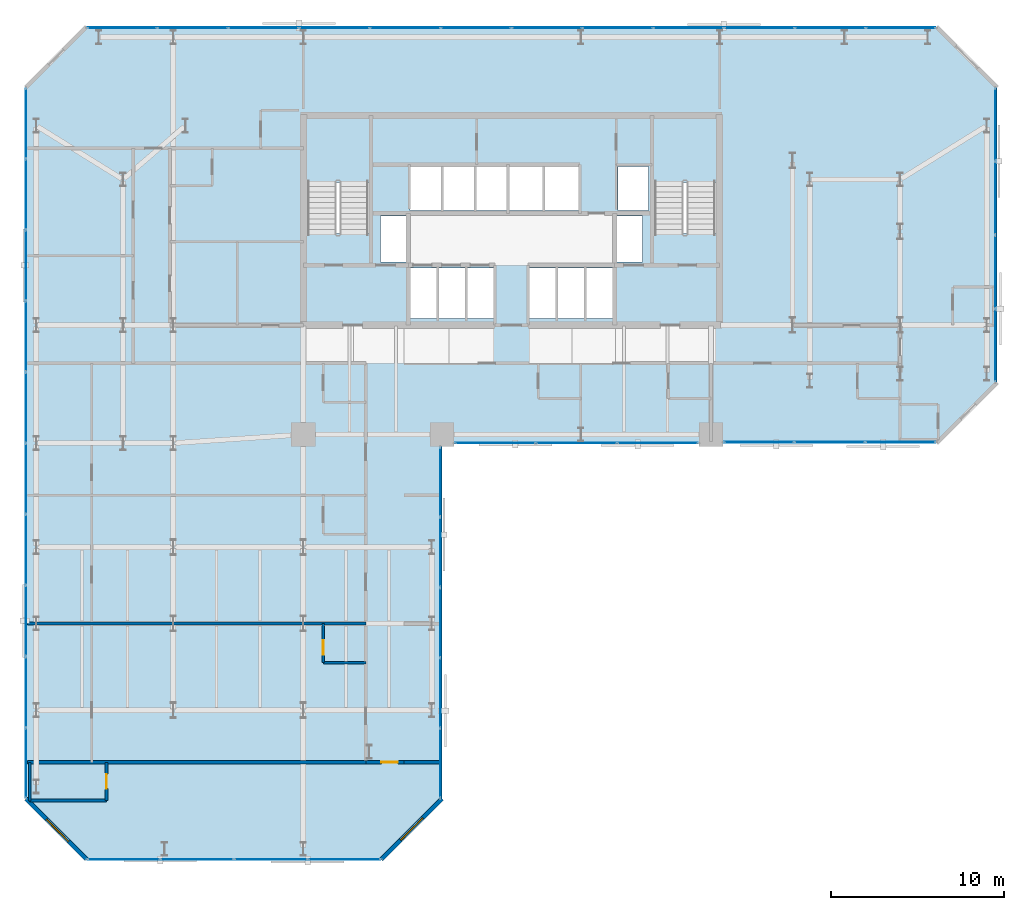
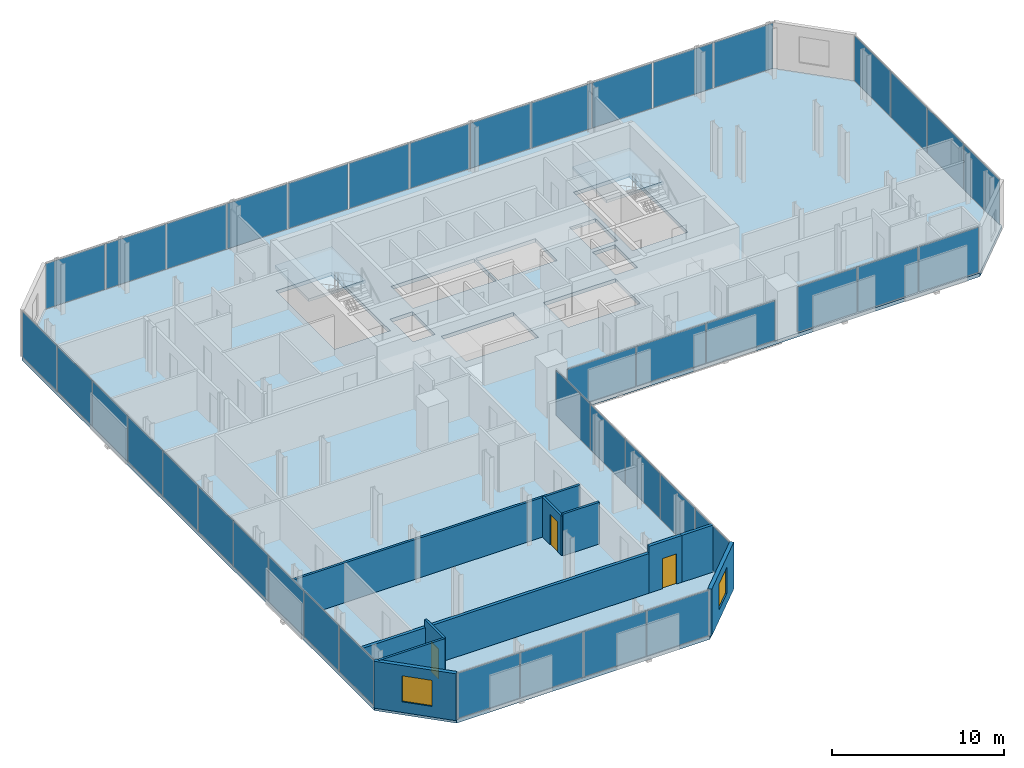
# One storey, part 28 of 33: 41 plates, 11 walls, 3 doors, 3 slabs, 2 windows, 5 openings, 9 elements without a shape of their own.
"""IFC4 building model written with IfcOpenShell, lengths in metres."""

from ifc_helpers import new_model, si_unit, direction, frame, frame_2d, origin, origin_2d, place, context, subcontext, project, spatial, polyline, rectangle, outline, extrude, material, layer, layer_set, type_object, element, fill, aggregate, save


model = new_model("IFC4")

# Units and contexts
model_context = context("Model", 3, precision=1e-05, world=origin(), true_north=direction((0.0, 1.0)))
body_context = subcontext(model_context, "Body", "Model", "MODEL_VIEW")
ifc_project = project(units=[si_unit("LENGTHUNIT", "METRE"), si_unit("AREAUNIT", "SQUARE_METRE"), si_unit("VOLUMEUNIT", "CUBIC_METRE"), si_unit("PLANEANGLEUNIT", "RADIAN"), si_unit("MASSUNIT", "GRAM", prefix="KILO")], contexts=[model_context])

# Site, building, storey
site_placement = place(None, origin())
site = spatial("IfcSite", under=ifc_project, at=site_placement, CompositionType="ELEMENT")
building_placement = place(site_placement, origin())
building = spatial("IfcBuilding", under=site, at=building_placement, Name="Catumbela Crestline Tower", CompositionType="ELEMENT")
storey_placement = place(building_placement, frame((0.0, 0.0, 51.0)))
storey = spatial("IfcBuildingStorey", under=building, at=storey_placement, Name="L12", CompositionType="ELEMENT", Elevation=51.0)

# Curtain wall, plates
ifc_material_1 = material(Name="Aluminium alloy AW-6060-T66", Category="aluminium")
ifc_layer_1 = layer(ifc_material_1, 0.18, Name="Aluminium alloy AW-6060-T66")
ifc_layer_set_1 = layer_set([ifc_layer_1], Name="Aluminium alloy AW-6060-T66")
curtain_wall_type = type_object("IfcCurtainWallType", Name="CWU-Z1", PredefinedType="USERDEFINED", material=ifc_layer_set_1)
curtain_wall_1_placement = place(storey_placement, origin())
curtain_wall_1 = element("IfcCurtainWall", 1, at=curtain_wall_1_placement, inside=storey, type_object=curtain_wall_type, Name="L12 Unitised Curtain Wall CW-L12-E0S1", ObjectType="UNITISED", PredefinedType="USERDEFINED")
ifc_material_2 = material(Name="Low-E laminated solar-control double glazing", Category="glass")
ifc_layer_2 = layer(ifc_material_2, 0.034, Name="Low-E laminated solar-control double glazing")
ifc_layer_set_2 = layer_set([ifc_layer_2], Name="Low-E laminated solar-control double glazing")
plate_type = type_object("IfcPlateType", Name="PNL-GLZ-Z1", PredefinedType="CURTAIN_PANEL", material=ifc_layer_set_2)
plate_1_placement = place(storey_placement, frame((5.6412, 0.0, 0.06), z_axis=(0.0, 0.0, 1.0), x_axis=(1.0, 0.0, 0.0)))
plate_1 = element("IfcPlate", 2, at=plate_1_placement, type_object=plate_type, Name="CWU-Z1 panel 1.1", PredefinedType="CURTAIN_PANEL", context=body_context, shape_type="SweptSolid", body=[
    extrude(rectangle(XDim=4.1525, YDim=0.034, at=origin_2d()), origin(), (0.0, 0.0, 1.0), 3.21),
])
plate_2_placement = place(storey_placement, frame((9.875, 0.0, 0.06), z_axis=(0.0, 0.0, 1.0), x_axis=(1.0, 0.0, 0.0)))
plate_2 = element("IfcPlate", 3, at=plate_2_placement, type_object=plate_type, Name="CWU-Z1 panel 2.1", PredefinedType="CURTAIN_PANEL", context=body_context, shape_type="SweptSolid", body=[
    extrude(rectangle(XDim=4.185, YDim=0.034, at=origin_2d()), origin(), (0.0, 0.0, 1.0), 3.21),
])
plate_3_placement = place(storey_placement, frame((14.125, 0.0, 0.06), z_axis=(0.0, 0.0, 1.0), x_axis=(1.0, 0.0, 0.0)))
plate_3 = element("IfcPlate", 4, at=plate_3_placement, type_object=plate_type, Name="CWU-Z1 panel 3.1", PredefinedType="CURTAIN_PANEL", context=body_context, shape_type="SweptSolid", body=[
    extrude(rectangle(XDim=4.185, YDim=0.034, at=origin_2d()), origin(), (0.0, 0.0, 1.0), 3.21),
])
plate_4_placement = place(storey_placement, frame((18.3588, 0.0, 0.06), z_axis=(0.0, 0.0, 1.0), x_axis=(1.0, 0.0, 0.0)))
plate_4 = element("IfcPlate", 5, at=plate_4_placement, type_object=plate_type, Name="CWU-Z1 panel 4.1", PredefinedType="CURTAIN_PANEL", context=body_context, shape_type="SweptSolid", body=[
    extrude(rectangle(XDim=4.1525, YDim=0.034, at=origin_2d()), origin(), (0.0, 0.0, 1.0), 3.21),
])
aggregate(curtain_wall_1, [plate_1, plate_2, plate_3, plate_4])

curtain_wall_2_placement = place(storey_placement, origin())
curtain_wall_2 = element("IfcCurtainWall", 6, at=curtain_wall_2_placement, inside=storey, type_object=curtain_wall_type, Name="L12 Unitised Curtain Wall CW-L12-E2S1", ObjectType="UNITISED", PredefinedType="USERDEFINED")
plate_5_placement = place(storey_placement, frame((23.9, 5.5462, 0.06), z_axis=(0.0, 0.0, 1.0), x_axis=(0.0, 1.0, 0.0)))
plate_5 = element("IfcPlate", 7, at=plate_5_placement, type_object=plate_type, Name="CWU-Z1 panel 1.1", PredefinedType="CURTAIN_PANEL", context=body_context, shape_type="SweptSolid", body=[
    extrude(rectangle(XDim=3.9625, YDim=0.034, at=origin_2d()), origin(), (0.0, 0.0, 1.0), 3.21),
])
plate_6_placement = place(storey_placement, frame((23.9, 9.59, 0.06), z_axis=(0.0, 0.0, 1.0), x_axis=(0.0, 1.0, 0.0)))
plate_6 = element("IfcPlate", 8, at=plate_6_placement, type_object=plate_type, Name="CWU-Z1 panel 2.1", PredefinedType="CURTAIN_PANEL", context=body_context, shape_type="SweptSolid", body=[
    extrude(rectangle(XDim=3.995, YDim=0.034, at=origin_2d()), origin(), (0.0, 0.0, 1.0), 3.21),
])
plate_7_placement = place(storey_placement, frame((23.9, 13.65, 0.06), z_axis=(0.0, 0.0, 1.0), x_axis=(0.0, 1.0, 0.0)))
plate_7 = element("IfcPlate", 9, at=plate_7_placement, type_object=plate_type, Name="CWU-Z1 panel 3.1", PredefinedType="CURTAIN_PANEL", context=body_context, shape_type="SweptSolid", body=[
    extrude(rectangle(XDim=3.995, YDim=0.034, at=origin_2d()), origin(), (0.0, 0.0, 1.0), 3.21),
])
plate_8_placement = place(storey_placement, frame((23.9, 17.71, 0.06), z_axis=(0.0, 0.0, 1.0), x_axis=(0.0, 1.0, 0.0)))
plate_8 = element("IfcPlate", 10, at=plate_8_placement, type_object=plate_type, Name="CWU-Z1 panel 4.1", PredefinedType="CURTAIN_PANEL", context=body_context, shape_type="SweptSolid", body=[
    extrude(rectangle(XDim=3.995, YDim=0.034, at=origin_2d()), origin(), (0.0, 0.0, 1.0), 3.21),
])
plate_9_placement = place(storey_placement, frame((23.9, 21.7538, 0.06), z_axis=(0.0, 0.0, 1.0), x_axis=(0.0, 1.0, 0.0)))
plate_9 = element("IfcPlate", 11, at=plate_9_placement, type_object=plate_type, Name="CWU-Z1 panel 5.1", PredefinedType="CURTAIN_PANEL", context=body_context, shape_type="SweptSolid", body=[
    extrude(rectangle(XDim=3.9625, YDim=0.034, at=origin_2d()), origin(), (0.0, 0.0, 1.0), 3.21),
])
aggregate(curtain_wall_2, [plate_5, plate_6, plate_7, plate_8, plate_9])

curtain_wall_3_placement = place(storey_placement, origin())
curtain_wall_3 = element("IfcCurtainWall", 12, at=curtain_wall_3_placement, inside=storey, type_object=curtain_wall_type, Name="L12 Unitised Curtain Wall CW-L12-E3S1", ObjectType="UNITISED", PredefinedType="USERDEFINED")
plate_10_placement = place(storey_placement, frame((27.0662, 24.0, 0.06), z_axis=(0.0, 0.0, 1.0), x_axis=(1.0, 0.0, 0.0)))
plate_10 = element("IfcPlate", 13, at=plate_10_placement, type_object=plate_type, Name="CWU-Z1 panel 1.1", PredefinedType="CURTAIN_PANEL", context=body_context, shape_type="SweptSolid", body=[
    extrude(rectangle(XDim=4.6025, YDim=0.034, at=origin_2d()), origin(), (0.0, 0.0, 1.0), 2.81),
])
plate_11_placement = place(storey_placement, frame((31.75, 24.0, 0.06), z_axis=(0.0, 0.0, 1.0), x_axis=(1.0, 0.0, 0.0)))
plate_11 = element("IfcPlate", 14, at=plate_11_placement, type_object=plate_type, Name="CWU-Z1 panel 2.1", PredefinedType="CURTAIN_PANEL", context=body_context, shape_type="SweptSolid", body=[
    extrude(rectangle(XDim=4.635, YDim=0.034, at=origin_2d()), origin(), (0.0, 0.0, 1.0), 2.81),
])
plate_12_placement = place(storey_placement, frame((36.4338, 24.0, 0.06), z_axis=(0.0, 0.0, 1.0), x_axis=(1.0, 0.0, 0.0)))
plate_12 = element("IfcPlate", 15, at=plate_12_placement, type_object=plate_type, Name="CWU-Z1 panel 3.1", PredefinedType="CURTAIN_PANEL", context=body_context, shape_type="SweptSolid", body=[
    extrude(rectangle(XDim=4.6025, YDim=0.034, at=origin_2d()), origin(), (0.0, 0.0, 1.0), 2.81),
])
aggregate(curtain_wall_3, [plate_10, plate_11, plate_12])

curtain_wall_4_placement = place(storey_placement, origin())
curtain_wall_4 = element("IfcCurtainWall", 16, at=curtain_wall_4_placement, inside=storey, type_object=curtain_wall_type, Name="L12 Unitised Curtain Wall CW-L12-E3S2", ObjectType="UNITISED", PredefinedType="USERDEFINED")
plate_13_placement = place(storey_placement, frame((42.2662, 24.05, 0.06), z_axis=(0.0, 0.0, 1.0), x_axis=(1.0, 0.0, 0.0)))
plate_13 = element("IfcPlate", 17, at=plate_13_placement, type_object=plate_type, Name="CWU-Z1 panel 1.1", PredefinedType="CURTAIN_PANEL", context=body_context, shape_type="SweptSolid", body=[
    extrude(rectangle(XDim=4.0025, YDim=0.034, at=origin_2d()), origin(), (0.0, 0.0, 1.0), 3.21),
])
plate_14_placement = place(storey_placement, frame((46.35, 24.05, 0.06), z_axis=(0.0, 0.0, 1.0), x_axis=(1.0, 0.0, 0.0)))
plate_14 = element("IfcPlate", 18, at=plate_14_placement, type_object=plate_type, Name="CWU-Z1 panel 2.1", PredefinedType="CURTAIN_PANEL", context=body_context, shape_type="SweptSolid", body=[
    extrude(rectangle(XDim=4.035, YDim=0.034, at=origin_2d()), origin(), (0.0, 0.0, 1.0), 3.21),
])
plate_15_placement = place(storey_placement, frame((50.4338, 24.05, 0.06), z_axis=(0.0, 0.0, 1.0), x_axis=(1.0, 0.0, 0.0)))
plate_15 = element("IfcPlate", 19, at=plate_15_placement, type_object=plate_type, Name="CWU-Z1 panel 3.1", PredefinedType="CURTAIN_PANEL", context=body_context, shape_type="SweptSolid", body=[
    extrude(rectangle(XDim=4.0025, YDim=0.034, at=origin_2d()), origin(), (0.0, 0.0, 1.0), 3.21),
])
aggregate(curtain_wall_4, [plate_13, plate_14, plate_15])

curtain_wall_5_placement = place(storey_placement, origin())
curtain_wall_5 = element("IfcCurtainWall", 20, at=curtain_wall_5_placement, inside=storey, type_object=curtain_wall_type, Name="L12 Unitised Curtain Wall CW-L12-E5S1", ObjectType="UNITISED", PredefinedType="USERDEFINED")
plate_16_placement = place(storey_placement, frame((55.9, 29.6412, 0.06), z_axis=(0.0, 0.0, 1.0), x_axis=(0.0, 1.0, 0.0)))
plate_16 = element("IfcPlate", 21, at=plate_16_placement, type_object=plate_type, Name="CWU-Z1 panel 1.1", PredefinedType="CURTAIN_PANEL", context=body_context, shape_type="SweptSolid", body=[
    extrude(rectangle(XDim=4.1525, YDim=0.034, at=origin_2d()), origin(), (0.0, 0.0, 1.0), 3.21),
])
plate_17_placement = place(storey_placement, frame((55.9, 33.875, 0.06), z_axis=(0.0, 0.0, 1.0), x_axis=(0.0, 1.0, 0.0)))
plate_17 = element("IfcPlate", 22, at=plate_17_placement, type_object=plate_type, Name="CWU-Z1 panel 2.1", PredefinedType="CURTAIN_PANEL", context=body_context, shape_type="SweptSolid", body=[
    extrude(rectangle(XDim=4.185, YDim=0.034, at=origin_2d()), origin(), (0.0, 0.0, 1.0), 3.21),
])
plate_18_placement = place(storey_placement, frame((55.9, 38.125, 0.06), z_axis=(0.0, 0.0, 1.0), x_axis=(0.0, 1.0, 0.0)))
plate_18 = element("IfcPlate", 23, at=plate_18_placement, type_object=plate_type, Name="CWU-Z1 panel 3.1", PredefinedType="CURTAIN_PANEL", context=body_context, shape_type="SweptSolid", body=[
    extrude(rectangle(XDim=4.185, YDim=0.034, at=origin_2d()), origin(), (0.0, 0.0, 1.0), 3.21),
])
plate_19_placement = place(storey_placement, frame((55.9, 42.3588, 0.06), z_axis=(0.0, 0.0, 1.0), x_axis=(0.0, 1.0, 0.0)))
plate_19 = element("IfcPlate", 24, at=plate_19_placement, type_object=plate_type, Name="CWU-Z1 panel 4.1", PredefinedType="CURTAIN_PANEL", context=body_context, shape_type="SweptSolid", body=[
    extrude(rectangle(XDim=4.1525, YDim=0.034, at=origin_2d()), origin(), (0.0, 0.0, 1.0), 3.21),
])
aggregate(curtain_wall_5, [plate_16, plate_17, plate_18, plate_19])

curtain_wall_6_placement = place(storey_placement, origin())
curtain_wall_6 = element("IfcCurtainWall", 25, at=curtain_wall_6_placement, inside=storey, type_object=curtain_wall_type, Name="L12 Unitised Curtain Wall CW-L12-E7S1", ObjectType="UNITISED", PredefinedType="USERDEFINED")
plate_20_placement = place(storey_placement, frame((50.4421, 47.95, 0.06), z_axis=(0.0, 0.0, 1.0), x_axis=(-1.0, 0.0, 0.0)))
plate_20 = element("IfcPlate", 26, at=plate_20_placement, type_object=plate_type, Name="CWU-Z1 panel 1.1", PredefinedType="CURTAIN_PANEL", context=body_context, shape_type="SweptSolid", body=[
    extrude(rectangle(XDim=3.9858, YDim=0.034, at=origin_2d()), origin(), (0.0, 0.0, 1.0), 3.21),
])
plate_21_placement = place(storey_placement, frame((46.375, 47.95, 0.06), z_axis=(0.0, 0.0, 1.0), x_axis=(-1.0, 0.0, 0.0)))
plate_21 = element("IfcPlate", 27, at=plate_21_placement, type_object=plate_type, Name="CWU-Z1 panel 2.1", PredefinedType="CURTAIN_PANEL", context=body_context, shape_type="SweptSolid", body=[
    extrude(rectangle(XDim=4.0183, YDim=0.034, at=origin_2d()), origin(), (0.0, 0.0, 1.0), 3.21),
])
plate_22_placement = place(storey_placement, frame((42.2917, 47.95, 0.06), z_axis=(0.0, 0.0, 1.0), x_axis=(-1.0, 0.0, 0.0)))
plate_22 = element("IfcPlate", 28, at=plate_22_placement, type_object=plate_type, Name="CWU-Z1 panel 3.1", PredefinedType="CURTAIN_PANEL", context=body_context, shape_type="SweptSolid", body=[
    extrude(rectangle(XDim=4.0183, YDim=0.034, at=origin_2d()), origin(), (0.0, 0.0, 1.0), 3.21),
])
plate_23_placement = place(storey_placement, frame((38.2083, 47.95, 0.06), z_axis=(0.0, 0.0, 1.0), x_axis=(-1.0, 0.0, 0.0)))
plate_23 = element("IfcPlate", 29, at=plate_23_placement, type_object=plate_type, Name="CWU-Z1 panel 4.1", PredefinedType="CURTAIN_PANEL", context=body_context, shape_type="SweptSolid", body=[
    extrude(rectangle(XDim=4.0183, YDim=0.034, at=origin_2d()), origin(), (0.0, 0.0, 1.0), 3.21),
])
plate_24_placement = place(storey_placement, frame((34.125, 47.95, 0.06), z_axis=(0.0, 0.0, 1.0), x_axis=(-1.0, 0.0, 0.0)))
plate_24 = element("IfcPlate", 30, at=plate_24_placement, type_object=plate_type, Name="CWU-Z1 panel 5.1", PredefinedType="CURTAIN_PANEL", context=body_context, shape_type="SweptSolid", body=[
    extrude(rectangle(XDim=4.0183, YDim=0.034, at=origin_2d()), origin(), (0.0, 0.0, 1.0), 3.21),
])
plate_25_placement = place(storey_placement, frame((30.0417, 47.95, 0.06), z_axis=(0.0, 0.0, 1.0), x_axis=(-1.0, 0.0, 0.0)))
plate_25 = element("IfcPlate", 31, at=plate_25_placement, type_object=plate_type, Name="CWU-Z1 panel 6.1", PredefinedType="CURTAIN_PANEL", context=body_context, shape_type="SweptSolid", body=[
    extrude(rectangle(XDim=4.0183, YDim=0.034, at=origin_2d()), origin(), (0.0, 0.0, 1.0), 3.21),
])
plate_26_placement = place(storey_placement, frame((25.9583, 47.95, 0.06), z_axis=(0.0, 0.0, 1.0), x_axis=(-1.0, 0.0, 0.0)))
plate_26 = element("IfcPlate", 32, at=plate_26_placement, type_object=plate_type, Name="CWU-Z1 panel 7.1", PredefinedType="CURTAIN_PANEL", context=body_context, shape_type="SweptSolid", body=[
    extrude(rectangle(XDim=4.0183, YDim=0.034, at=origin_2d()), origin(), (0.0, 0.0, 1.0), 3.21),
])
plate_27_placement = place(storey_placement, frame((21.875, 47.95, 0.06), z_axis=(0.0, 0.0, 1.0), x_axis=(-1.0, 0.0, 0.0)))
plate_27 = element("IfcPlate", 33, at=plate_27_placement, type_object=plate_type, Name="CWU-Z1 panel 8.1", PredefinedType="CURTAIN_PANEL", context=body_context, shape_type="SweptSolid", body=[
    extrude(rectangle(XDim=4.0183, YDim=0.034, at=origin_2d()), origin(), (0.0, 0.0, 1.0), 3.21),
])
plate_28_placement = place(storey_placement, frame((17.7917, 47.95, 0.06), z_axis=(0.0, 0.0, 1.0), x_axis=(-1.0, 0.0, 0.0)))
plate_28 = element("IfcPlate", 34, at=plate_28_placement, type_object=plate_type, Name="CWU-Z1 panel 9.1", PredefinedType="CURTAIN_PANEL", context=body_context, shape_type="SweptSolid", body=[
    extrude(rectangle(XDim=4.0183, YDim=0.034, at=origin_2d()), origin(), (0.0, 0.0, 1.0), 3.21),
])
plate_29_placement = place(storey_placement, frame((13.7083, 47.95, 0.06), z_axis=(0.0, 0.0, 1.0), x_axis=(-1.0, 0.0, 0.0)))
plate_29 = element("IfcPlate", 35, at=plate_29_placement, type_object=plate_type, Name="CWU-Z1 panel 10.1", PredefinedType="CURTAIN_PANEL", context=body_context, shape_type="SweptSolid", body=[
    extrude(rectangle(XDim=4.0183, YDim=0.034, at=origin_2d()), origin(), (0.0, 0.0, 1.0), 3.21),
])
plate_30_placement = place(storey_placement, frame((9.625, 47.95, 0.06), z_axis=(0.0, 0.0, 1.0), x_axis=(-1.0, 0.0, 0.0)))
plate_30 = element("IfcPlate", 36, at=plate_30_placement, type_object=plate_type, Name="CWU-Z1 panel 11.1", PredefinedType="CURTAIN_PANEL", context=body_context, shape_type="SweptSolid", body=[
    extrude(rectangle(XDim=4.0183, YDim=0.034, at=origin_2d()), origin(), (0.0, 0.0, 1.0), 3.21),
])
plate_31_placement = place(storey_placement, frame((5.5579, 47.95, 0.06), z_axis=(0.0, 0.0, 1.0), x_axis=(-1.0, 0.0, 0.0)))
plate_31 = element("IfcPlate", 37, at=plate_31_placement, type_object=plate_type, Name="CWU-Z1 panel 12.1", PredefinedType="CURTAIN_PANEL", context=body_context, shape_type="SweptSolid", body=[
    extrude(rectangle(XDim=3.9858, YDim=0.034, at=origin_2d()), origin(), (0.0, 0.0, 1.0), 3.21),
])
aggregate(curtain_wall_6, [plate_20, plate_21, plate_22, plate_23, plate_24, plate_25, plate_26, plate_27, plate_28, plate_29, plate_30, plate_31])

curtain_wall_7_placement = place(storey_placement, origin())
curtain_wall_7 = element("IfcCurtainWall", 38, at=curtain_wall_7_placement, inside=storey, type_object=curtain_wall_type, Name="L12 Unitised Curtain Wall CW-L12-E9S1", ObjectType="UNITISED", PredefinedType="USERDEFINED")
plate_32_placement = place(storey_placement, frame((0.0, 42.4338, 0.06), z_axis=(0.0, 0.0, 1.0), x_axis=(0.0, -1.0, 0.0)))
plate_32 = element("IfcPlate", 39, at=plate_32_placement, type_object=plate_type, Name="CWU-Z1 panel 1.1", PredefinedType="CURTAIN_PANEL", context=body_context, shape_type="SweptSolid", body=[
    extrude(rectangle(XDim=4.0025, YDim=0.034, at=origin_2d()), origin(), (0.0, 0.0, 1.0), 3.21),
])
plate_33_placement = place(storey_placement, frame((0.0, 38.35, 0.06), z_axis=(0.0, 0.0, 1.0), x_axis=(0.0, -1.0, 0.0)))
plate_33 = element("IfcPlate", 40, at=plate_33_placement, type_object=plate_type, Name="CWU-Z1 panel 2.1", PredefinedType="CURTAIN_PANEL", context=body_context, shape_type="SweptSolid", body=[
    extrude(rectangle(XDim=4.035, YDim=0.034, at=origin_2d()), origin(), (0.0, 0.0, 1.0), 3.21),
])
plate_34_placement = place(storey_placement, frame((0.0, 34.25, 0.06), z_axis=(0.0, 0.0, 1.0), x_axis=(0.0, -1.0, 0.0)))
plate_34 = element("IfcPlate", 41, at=plate_34_placement, type_object=plate_type, Name="CWU-Z1 panel 3.1", PredefinedType="CURTAIN_PANEL", context=body_context, shape_type="SweptSolid", body=[
    extrude(rectangle(XDim=4.035, YDim=0.034, at=origin_2d()), origin(), (0.0, 0.0, 1.0), 3.21),
])
plate_35_placement = place(storey_placement, frame((0.0, 30.15, 0.06), z_axis=(0.0, 0.0, 1.0), x_axis=(0.0, -1.0, 0.0)))
plate_35 = element("IfcPlate", 42, at=plate_35_placement, type_object=plate_type, Name="CWU-Z1 panel 4.1", PredefinedType="CURTAIN_PANEL", context=body_context, shape_type="SweptSolid", body=[
    extrude(rectangle(XDim=4.035, YDim=0.034, at=origin_2d()), origin(), (0.0, 0.0, 1.0), 3.21),
])
plate_36_placement = place(storey_placement, frame((0.0, 26.05, 0.06), z_axis=(0.0, 0.0, 1.0), x_axis=(0.0, -1.0, 0.0)))
plate_36 = element("IfcPlate", 43, at=plate_36_placement, type_object=plate_type, Name="CWU-Z1 panel 5.1", PredefinedType="CURTAIN_PANEL", context=body_context, shape_type="SweptSolid", body=[
    extrude(rectangle(XDim=4.035, YDim=0.034, at=origin_2d()), origin(), (0.0, 0.0, 1.0), 3.21),
])
plate_37_placement = place(storey_placement, frame((0.0, 21.95, 0.06), z_axis=(0.0, 0.0, 1.0), x_axis=(0.0, -1.0, 0.0)))
plate_37 = element("IfcPlate", 44, at=plate_37_placement, type_object=plate_type, Name="CWU-Z1 panel 6.1", PredefinedType="CURTAIN_PANEL", context=body_context, shape_type="SweptSolid", body=[
    extrude(rectangle(XDim=4.035, YDim=0.034, at=origin_2d()), origin(), (0.0, 0.0, 1.0), 3.21),
])
plate_38_placement = place(storey_placement, frame((0.0, 17.85, 0.06), z_axis=(0.0, 0.0, 1.0), x_axis=(0.0, -1.0, 0.0)))
plate_38 = element("IfcPlate", 45, at=plate_38_placement, type_object=plate_type, Name="CWU-Z1 panel 7.1", PredefinedType="CURTAIN_PANEL", context=body_context, shape_type="SweptSolid", body=[
    extrude(rectangle(XDim=4.035, YDim=0.034, at=origin_2d()), origin(), (0.0, 0.0, 1.0), 3.21),
])
plate_39_placement = place(storey_placement, frame((0.0, 13.75, 0.06), z_axis=(0.0, 0.0, 1.0), x_axis=(0.0, -1.0, 0.0)))
plate_39 = element("IfcPlate", 46, at=plate_39_placement, type_object=plate_type, Name="CWU-Z1 panel 8.1", PredefinedType="CURTAIN_PANEL", context=body_context, shape_type="SweptSolid", body=[
    extrude(rectangle(XDim=4.035, YDim=0.034, at=origin_2d()), origin(), (0.0, 0.0, 1.0), 3.21),
])
plate_40_placement = place(storey_placement, frame((0.0, 9.65, 0.06), z_axis=(0.0, 0.0, 1.0), x_axis=(0.0, -1.0, 0.0)))
plate_40 = element("IfcPlate", 47, at=plate_40_placement, type_object=plate_type, Name="CWU-Z1 panel 9.1", PredefinedType="CURTAIN_PANEL", context=body_context, shape_type="SweptSolid", body=[
    extrude(rectangle(XDim=4.035, YDim=0.034, at=origin_2d()), origin(), (0.0, 0.0, 1.0), 3.21),
])
plate_41_placement = place(storey_placement, frame((0.0, 5.5662, 0.06), z_axis=(0.0, 0.0, 1.0), x_axis=(0.0, -1.0, 0.0)))
plate_41 = element("IfcPlate", 48, at=plate_41_placement, type_object=plate_type, Name="CWU-Z1 panel 10.1", PredefinedType="CURTAIN_PANEL", context=body_context, shape_type="SweptSolid", body=[
    extrude(rectangle(XDim=4.0025, YDim=0.034, at=origin_2d()), origin(), (0.0, 0.0, 1.0), 3.21),
])
aggregate(curtain_wall_7, [plate_32, plate_33, plate_34, plate_35, plate_36, plate_37, plate_38, plate_39, plate_40, plate_41])

# Stair, slab
ifc_material_3 = material(Name="Concrete C45/55", Category="concrete")
stair_type = type_object("IfcStairType", Name="ST-DLG", PredefinedType="HALF_TURN_STAIR", material=ifc_material_3)
stair_1_placement = place(storey_placement, origin())
stair_1 = element("IfcStair", 49, at=stair_1_placement, inside=storey, type_object=stair_type, Name="L12 West Core Pressurised Exit Stair ST-01", PredefinedType="HALF_TURN_STAIR")
ifc_layer_3 = layer(ifc_material_3, 0.2, Name="Concrete C45/55")
ifc_layer_set_3 = layer_set([ifc_layer_3], Name="Concrete C45/55")
slab_type_1 = type_object("IfcSlabType", Name="SL-LND", PredefinedType="LANDING", material=ifc_layer_set_3)
slab_1_placement = place(storey_placement, frame((0.0, 0.0, 1.6)))
slab_1 = element("IfcSlab", 50, at=slab_1_placement, type_object=slab_type_1, Name="ST-01 landing 1", PredefinedType="LANDING", context=body_context, shape_type="SweptSolid", body=[
    extrude(outline(polyline([(19.91, 39.02), (19.91, 42.96), (16.09, 42.96), (16.09, 39.02), (19.91, 39.02)])), origin(), (0.0, 0.0, 1.0), 0.2),
])
aggregate(stair_1, [slab_1])

stair_2_placement = place(storey_placement, origin())
stair_2 = element("IfcStair", 51, at=stair_2_placement, inside=storey, type_object=stair_type, Name="L12 East Core Pressurised Exit Stair ST-02", PredefinedType="HALF_TURN_STAIR")
slab_2_placement = place(storey_placement, frame((0.0, 0.0, 1.6)))
slab_2 = element("IfcSlab", 52, at=slab_2_placement, type_object=slab_type_1, Name="ST-02 landing 1", PredefinedType="LANDING", context=body_context, shape_type="SweptSolid", body=[
    extrude(outline(polyline([(39.91, 39.02), (39.91, 42.96), (36.09, 42.96), (36.09, 39.02), (39.91, 39.02)])), origin(), (0.0, 0.0, 1.0), 0.2),
])
aggregate(stair_2, [slab_2])

# Slab
ifc_layer_4 = layer(ifc_material_3, 0.26, Name="Concrete C45/55")
ifc_layer_set_4 = layer_set([ifc_layer_4], Name="Concrete C45/55")
slab_type_2 = type_object("IfcSlabType", Name="SL-260", PredefinedType="FLOOR", material=ifc_layer_set_4)
slab_3_placement = place(storey_placement, frame((0.0, 0.0, -0.26)))
element("IfcSlab", 53, at=slab_3_placement, inside=storey, type_object=slab_type_2, Name="L12 Structural Floor Slab", PredefinedType="FLOOR", context=body_context, shape_type="SweptSolid", body=[
    extrude(outline(polyline([(3.5, 0.0), (20.5, 0.0), (24.0, 3.5), (24.0, 24.0), (52.5, 24.0), (56.0, 27.5), (56.0, 44.5), (52.5, 48.0), (3.5, 48.0), (0.0, 44.5), (0.0, 3.5), (3.5, 0.0)]), holes=[polyline([(16.13, 36.08), (19.87, 36.08), (19.87, 42.92), (16.13, 42.92), (16.13, 36.08)]), polyline([(36.13, 36.08), (39.87, 36.08), (39.87, 42.92), (36.13, 42.92), (36.13, 36.08)]), polyline([(22.15, 31.2), (27.0, 31.2), (27.0, 34.1), (22.15, 34.1), (22.15, 31.2)]), polyline([(29.0, 31.2), (33.85, 31.2), (33.85, 34.1), (29.0, 34.1), (29.0, 31.2)]), polyline([(22.15, 37.4), (27.75, 37.4), (27.75, 39.95), (22.15, 39.95), (22.15, 37.4)]), polyline([(27.85, 37.4), (31.85, 37.4), (31.85, 39.95), (27.85, 39.95), (27.85, 37.4)]), polyline([(20.45, 34.45), (21.95, 34.45), (21.95, 37.1), (20.45, 37.1), (20.45, 34.45)]), polyline([(34.05, 34.45), (35.55, 34.45), (35.55, 37.1), (34.05, 37.1), (34.05, 34.45)]), polyline([(34.15, 37.4), (35.9, 37.4), (35.9, 39.95), (34.15, 39.95), (34.15, 37.4)])]), origin(), (0.0, 0.0, 1.0), 0.26),
])

# Wall, opening, door
ifc_material_4 = material(Name="Acoustic gypsum and mineral-wool partition")
ifc_layer_5 = layer(ifc_material_4, 0.2, Name="Acoustic gypsum and mineral-wool partition")
ifc_layer_set_5 = layer_set([ifc_layer_5], Name="Acoustic gypsum and mineral-wool partition")
wall_type_1 = type_object("IfcWallType", Name="WC-200", PredefinedType="PARTITIONING", material=ifc_layer_set_5)
wall_1_placement = place(storey_placement, frame((19.6, 5.6, 0.0), z_axis=(0.0, 0.0, 1.0), x_axis=(1.0, 0.0, 0.0)))
wall_1 = element("IfcWall", 54, at=wall_1_placement, inside=storey, type_object=wall_type_1, Name="L12 Interior Partition PW-L12-WTIP-ENT", PredefinedType="PARTITIONING", context=body_context, shape_type="SweptSolid", body=[
    extrude(rectangle(XDim=2.2, YDim=0.2, at=frame_2d((1.1, 0.0))), origin(), (0.0, 0.0, 1.0), 3.33),
])
opening_1_placement = place(wall_1_placement, frame((0.9, 0.0, 0.0)))
opening_1 = element("IfcOpeningElement", 55, at=opening_1_placement, cuts=wall_1, Name="Opening DF6-095", PredefinedType="OPENING", context=body_context, shape_type="SweptSolid", body=[
    extrude(rectangle(XDim=0.95, YDim=2.15, at=frame_2d((0.475, 1.075))), frame((0.0, 0.11, 0.0), z_axis=(0.0, -1.0, 0.0), x_axis=(1.0, 0.0, 0.0)), (0.0, 0.0, 1.0), 0.22),
])
door_type_1 = type_object("IfcDoorType", Name="DF6-095", OperationType="NOTDEFINED", PredefinedType="DOOR", material=ifc_material_1)
door_1_placement = place(opening_1_placement, origin())
door_1 = element("IfcDoor", 56, at=door_1_placement, inside=storey, type_object=door_type_1, Name="L12 Interior Door DR-L12-WTIP-ENT", OperationType="SINGLE_SWING_RIGHT", OverallHeight=2.15, OverallWidth=0.95, PredefinedType="DOOR", context=body_context, shape_type="SweptSolid", body=[
    extrude(rectangle(XDim=0.95, YDim=2.15, at=frame_2d((0.475, 1.075))), frame((0.0, 0.025, 0.0), z_axis=(0.0, -1.0, 0.0), x_axis=(1.0, 0.0, 0.0)), (0.0, 0.0, 1.0), 0.05),
])
fill(opening_1, door_1)

# Wall, opening, window
ifc_material_5 = material(Name="Angolan grey-ochre granite", Category="masonry")
ifc_layer_6 = layer(ifc_material_5, 0.25, Name="Angolan grey-ochre granite")
ifc_layer_set_6 = layer_set([ifc_layer_6], Name="Angolan grey-ochre granite")
wall_type_2 = type_object("IfcWallType", Name="WE-250", PredefinedType="STANDARD", material=ifc_layer_set_6)
wall_2_placement = place(storey_placement, frame((20.5, 0.0, 0.0), z_axis=(0.0, 0.0, 1.0), x_axis=(0.707106781187, 0.707106781187, 0.0)))
wall_2 = element("IfcWall", 57, at=wall_2_placement, inside=storey, type_object=wall_type_2, Name="L12 Granite Punched Window Wall 1-1", PredefinedType="STANDARD", context=body_context, shape_type="SweptSolid", body=[
    extrude(rectangle(XDim=4.9497, YDim=0.25, at=frame_2d((2.4748, 0.0))), origin(), (0.0, 0.0, 1.0), 3.33),
])
opening_2_placement = place(wall_2_placement, frame((1.5749, 0.0, 0.75)))
opening_2 = element("IfcOpeningElement", 58, at=opening_2_placement, cuts=wall_2, Name="Opening WN-01", PredefinedType="OPENING", context=body_context, shape_type="SweptSolid", body=[
    extrude(rectangle(XDim=1.8, YDim=1.85, at=frame_2d((0.9, 0.925))), frame((0.0, 0.135, 0.0), z_axis=(0.0, -1.0, 0.0), x_axis=(1.0, 0.0, 0.0)), (0.0, 0.0, 1.0), 0.27),
])
window_type = type_object("IfcWindowType", Name="WF-1800", PartitioningType="SINGLE_PANEL", PredefinedType="WINDOW", material=ifc_material_2)
window_1_placement = place(opening_2_placement, origin())
window_1 = element("IfcWindow", 59, at=window_1_placement, inside=storey, type_object=window_type, Name="L12 Facade Vision Window 83", OverallHeight=1.85, OverallWidth=1.8, PartitioningType="SINGLE_PANEL", PredefinedType="WINDOW", context=body_context, shape_type="SweptSolid", body=[
    extrude(rectangle(XDim=1.8, YDim=1.85, at=frame_2d((0.9, 0.925))), frame((0.0, 0.03, 0.0), z_axis=(0.0, -1.0, 0.0), x_axis=(1.0, 0.0, 0.0)), (0.0, 0.0, 1.0), 0.06),
])
fill(opening_2, window_1)

wall_3_placement = place(storey_placement, frame((0.0, 3.5, 0.0), z_axis=(0.0, 0.0, 1.0), x_axis=(0.707106781187, -0.707106781187, 0.0)))
wall_3 = element("IfcWall", 60, at=wall_3_placement, inside=storey, type_object=wall_type_2, Name="L12 Granite Punched Window Wall 10-1", PredefinedType="STANDARD", context=body_context, shape_type="SweptSolid", body=[
    extrude(rectangle(XDim=4.9497, YDim=0.25, at=frame_2d((2.4748, 0.0))), origin(), (0.0, 0.0, 1.0), 3.33),
])
opening_3_placement = place(wall_3_placement, frame((1.6851, 0.0, 0.75)))
opening_3 = element("IfcOpeningElement", 61, at=opening_3_placement, cuts=wall_3, Name="Opening WN-01", PredefinedType="OPENING", context=body_context, shape_type="SweptSolid", body=[
    extrude(rectangle(XDim=1.8, YDim=1.85, at=frame_2d((0.9, 0.925))), frame((0.0, 0.135, 0.0), z_axis=(0.0, -1.0, 0.0), x_axis=(1.0, 0.0, 0.0)), (0.0, 0.0, 1.0), 0.27),
])
window_2_placement = place(opening_3_placement, origin())
window_2 = element("IfcWindow", 62, at=window_2_placement, inside=storey, type_object=window_type, Name="L12 Facade Vision Window 87", OverallHeight=1.85, OverallWidth=1.8, PartitioningType="SINGLE_PANEL", PredefinedType="WINDOW", context=body_context, shape_type="SweptSolid", body=[
    extrude(rectangle(XDim=1.8, YDim=1.85, at=frame_2d((0.9, 0.925))), frame((0.0, 0.03, 0.0), z_axis=(0.0, -1.0, 0.0), x_axis=(1.0, 0.0, 0.0)), (0.0, 0.0, 1.0), 0.06),
])
fill(opening_3, window_2)

# Wall
ifc_layer_7 = layer(ifc_material_4, 0.15, Name="Acoustic gypsum and mineral-wool partition")
ifc_layer_set_7 = layer_set([ifc_layer_7], Name="Acoustic gypsum and mineral-wool partition")
wall_type_3 = type_object("IfcWallType", Name="WP-150", PredefinedType="PARTITIONING", material=ifc_layer_set_7)
wall_4_placement = place(storey_placement, frame((0.2, 3.4, 0.0), z_axis=(0.0, 0.0, 1.0), x_axis=(1.0, 0.0, 0.0)))
element("IfcWall", 63, at=wall_4_placement, inside=storey, type_object=wall_type_3, Name="L12 Interior Partition PW-L12-WTIP-BHW", PredefinedType="PARTITIONING", context=body_context, shape_type="SweptSolid", body=[
    extrude(rectangle(XDim=4.45, YDim=0.15, at=frame_2d((2.225, 0.0))), origin(), (0.0, 0.0, 1.0), 3.33),
])

# Wall, opening, door
wall_5_placement = place(storey_placement, frame((4.65, 3.4, 0.0), z_axis=(0.0, 0.0, 1.0), x_axis=(0.0, 1.0, 0.0)))
wall_5 = element("IfcWall", 64, at=wall_5_placement, inside=storey, type_object=wall_type_3, Name="L12 Interior Partition PW-L12-WTIP-BEW", PredefinedType="PARTITIONING", context=body_context, shape_type="SweptSolid", body=[
    extrude(rectangle(XDim=2.2, YDim=0.15, at=frame_2d((1.1, 0.0))), origin(), (0.0, 0.0, 1.0), 3.33),
])
opening_4_placement = place(wall_5_placement, frame((0.675, 0.0, 0.0)))
opening_4 = element("IfcOpeningElement", 65, at=opening_4_placement, cuts=wall_5, Name="Opening DI-085", PredefinedType="OPENING", context=body_context, shape_type="SweptSolid", body=[
    extrude(rectangle(XDim=0.85, YDim=2.15, at=frame_2d((0.425, 1.075))), frame((0.0, 0.085, 0.0), z_axis=(0.0, -1.0, 0.0), x_axis=(1.0, 0.0, 0.0)), (0.0, 0.0, 1.0), 0.17),
])
door_type_2 = type_object("IfcDoorType", Name="DI-085", OperationType="NOTDEFINED", PredefinedType="DOOR", material=ifc_material_1)
door_2_placement = place(opening_4_placement, origin())
door_2 = element("IfcDoor", 66, at=door_2_placement, inside=storey, type_object=door_type_2, Name="L12 Interior Door DR-L12-WTIP-BTH", OperationType="SINGLE_SWING_LEFT", OverallHeight=2.15, OverallWidth=0.85, PredefinedType="DOOR", context=body_context, shape_type="SweptSolid", body=[
    extrude(rectangle(XDim=0.85, YDim=2.15, at=frame_2d((0.425, 1.075))), frame((0.0, 0.025, 0.0), z_axis=(0.0, -1.0, 0.0), x_axis=(1.0, 0.0, 0.0)), (0.0, 0.0, 1.0), 0.05),
])
fill(opening_4, door_2)

# Walls
wall_6_placement = place(storey_placement, frame((0.22, 3.38, 0.0), z_axis=(0.0, 0.0, 1.0), x_axis=(0.0, 1.0, 0.0)))
element("IfcWall", 67, at=wall_6_placement, inside=storey, type_object=wall_type_3, Name="L12 Interior Partition PW-L12-WTIP-BCL-3", PredefinedType="PARTITIONING", context=body_context, shape_type="SweptSolid", body=[
    extrude(rectangle(XDim=2.22, YDim=0.15, at=frame_2d((1.11, 0.0))), origin(), (0.0, 0.0, 1.0), 2.93),
])
wall_7_placement = place(storey_placement, frame((17.15, 11.35, 0.0), z_axis=(0.0, 0.0, 1.0), x_axis=(1.0, 0.0, 0.0)))
element("IfcWall", 68, at=wall_7_placement, inside=storey, type_object=wall_type_3, Name="L12 Interior Partition PW-L12-WL1-BSW", PredefinedType="PARTITIONING", context=body_context, shape_type="SweptSolid", body=[
    extrude(rectangle(XDim=2.45, YDim=0.15, at=frame_2d((1.225, 0.0))), origin(), (0.0, 0.0, 1.0), 2.96),
])

# Wall, opening, door
wall_8_placement = place(storey_placement, frame((17.15, 11.35, 0.0), z_axis=(0.0, 0.0, 1.0), x_axis=(0.0, 1.0, 0.0)))
wall_8 = element("IfcWall", 69, at=wall_8_placement, inside=storey, type_object=wall_type_3, Name="L12 Interior Partition PW-L12-WL1-BWW", PredefinedType="PARTITIONING", context=body_context, shape_type="SweptSolid", body=[
    extrude(rectangle(XDim=2.25, YDim=0.15, at=frame_2d((1.125, 0.0))), origin(), (0.0, 0.0, 1.0), 2.82),
])
opening_5_placement = place(wall_8_placement, frame((0.4444, 0.0, 0.0)))
opening_5 = element("IfcOpeningElement", 70, at=opening_5_placement, cuts=wall_8, Name="Opening DI-085", PredefinedType="OPENING", context=body_context, shape_type="SweptSolid", body=[
    extrude(rectangle(XDim=0.85, YDim=2.15, at=frame_2d((0.425, 1.075))), frame((0.0, 0.085, 0.0), z_axis=(0.0, -1.0, 0.0), x_axis=(1.0, 0.0, 0.0)), (0.0, 0.0, 1.0), 0.17),
])
door_3_placement = place(opening_5_placement, origin())
door_3 = element("IfcDoor", 71, at=door_3_placement, inside=storey, type_object=door_type_2, Name="L12 Interior Door DR-L12-WL1-BTH", OperationType="SINGLE_SWING_LEFT", OverallHeight=2.15, OverallWidth=0.85, PredefinedType="DOOR", context=body_context, shape_type="SweptSolid", body=[
    extrude(rectangle(XDim=0.85, YDim=2.15, at=frame_2d((0.425, 1.075))), frame((0.0, 0.025, 0.0), z_axis=(0.0, -1.0, 0.0), x_axis=(1.0, 0.0, 0.0)), (0.0, 0.0, 1.0), 0.05),
])
fill(opening_5, door_3)

# Walls
wall_9_placement = place(storey_placement, frame((0.1, 13.6, 0.0), z_axis=(0.0, 0.0, 1.0), x_axis=(1.0, 0.0, 0.0)))
element("IfcWall", 72, at=wall_9_placement, inside=storey, type_object=wall_type_3, Name="L12 Interior Partition PW-L12-WL1-BCL-1", PredefinedType="PARTITIONING", context=body_context, shape_type="SweptSolid", body=[
    extrude(rectangle(XDim=19.5, YDim=0.15, at=frame_2d((9.75, 0.0))), origin(), (0.0, 0.0, 1.0), 2.82),
])
ifc_layer_8 = layer(ifc_material_4, 0.2, Name="Acoustic gypsum and mineral-wool partition")
ifc_layer_set_8 = layer_set([ifc_layer_8], Name="Acoustic gypsum and mineral-wool partition")
wall_type_4 = type_object("IfcWallType", Name="WY-200", PredefinedType="PARTITIONING", material=ifc_layer_set_8)
wall_10_placement = place(storey_placement, frame((0.1, 5.6, 0.0), z_axis=(0.0, 0.0, 1.0), x_axis=(1.0, 0.0, 0.0)))
element("IfcWall", 73, at=wall_10_placement, inside=storey, type_object=wall_type_4, Name="L12 Interior Partition PW-L12-WTIP-WL", PredefinedType="PARTITIONING", context=body_context, shape_type="SweptSolid", body=[
    extrude(rectangle(XDim=19.5, YDim=0.2, at=frame_2d((9.75, 0.0))), origin(), (0.0, 0.0, 1.0), 2.82),
])
wall_11_placement = place(storey_placement, frame((21.8, 5.6, 0.0), z_axis=(0.0, 0.0, 1.0), x_axis=(1.0, 0.0, 0.0)))
element("IfcWall", 74, at=wall_11_placement, inside=storey, type_object=wall_type_4, Name="L12 Interior Partition PW-L12-WTIP-WR", PredefinedType="PARTITIONING", context=body_context, shape_type="SweptSolid", body=[
    extrude(rectangle(XDim=2.1, YDim=0.2, at=frame_2d((1.05, 0.0))), origin(), (0.0, 0.0, 1.0), 3.33),
])

save(model, "model.ifc")
